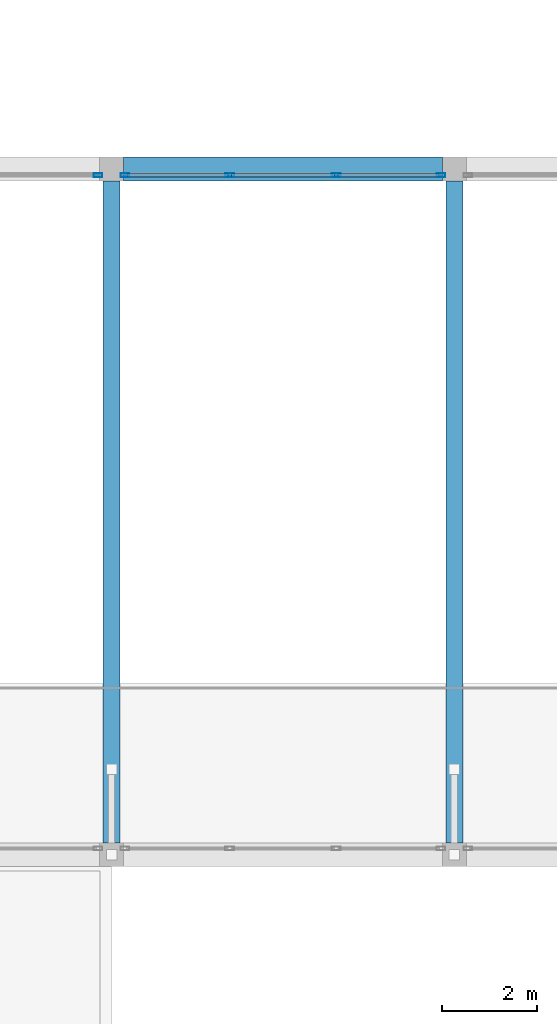
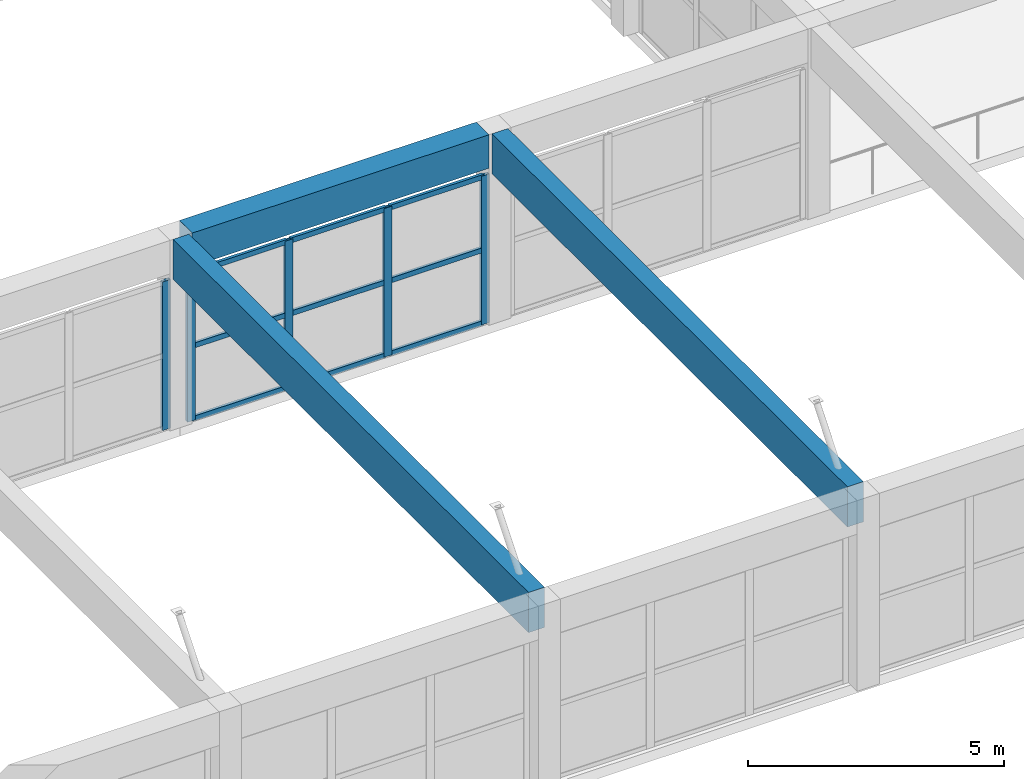
# One storey, part 34 of 153: 14 members, 3 beams, 2 elements without a shape of their own.
"""IFC4 building model written with IfcOpenShell, lengths in metres."""

from ifc_helpers import new_model, si_unit, direction, frame, origin, origin_2d, place, context, subcontext, project, spatial, rectangle, hollow_rectangle, extrude, material, material_profile, profile_set, type_object, element, aggregate, save


model = new_model("IFC4")

# Units and contexts
model_context = context("Model", 3, precision=1e-05, world=origin(), true_north=direction((0.0, 1.0)))
body_context = subcontext(model_context, "Body", "Model", "MODEL_VIEW")
ifc_project = project(units=[si_unit("LENGTHUNIT", "METRE"), si_unit("AREAUNIT", "SQUARE_METRE"), si_unit("VOLUMEUNIT", "CUBIC_METRE"), si_unit("PLANEANGLEUNIT", "RADIAN"), si_unit("MASSUNIT", "GRAM", prefix="KILO")], contexts=[model_context])

# Site, building, storey
site_placement = place(None, origin())
site = spatial("IfcSite", under=ifc_project, at=site_placement, CompositionType="ELEMENT")
building_placement = place(site_placement, origin())
building = spatial("IfcBuilding", under=site, at=building_placement, Name="Bramvelor Terrace Health Centre", CompositionType="ELEMENT")
storey_placement = place(building_placement, frame((0.0, 0.0, 4.800048828125)))
storey = spatial("IfcBuildingStorey", under=building, at=storey_placement, Name="L02", CompositionType="ELEMENT", Elevation=4.800048828125)

# Beams
ifc_material_1 = material(Name="Glulam GL28h", Category="wood")
ifc_material_profile_1 = material_profile(ifc_material_1, rectangle(XDim=0.360107421875, YDim=0.9599609375, at=origin_2d()), Name="GL 360x960")
ifc_profile_set_1 = profile_set([ifc_material_profile_1], Name="Glulam GL28h")
beam_type_1 = type_object("IfcBeamType", Name="BM-GL-TG960", PredefinedType="BEAM", material=ifc_profile_set_1)
for number, where, z_axis, x_axis, name in (
    (1, (64.800048828125, 36.25, 4.070068359375), (0.0, 1.0, 0.0), (-1.0, 0.0, 0.0), "L02 Floor Girder"),
    (2, (72.0, 36.25, 4.070068359375), (0.0, 1.0, 0.0), (-1.0, 0.0, 0.0), "L02 Floor Girder"),
):
    element("IfcBeam", number, at=place(storey_placement, frame(where, z_axis=z_axis, x_axis=x_axis)), inside=storey, type_object=beam_type_1, Name=name, PredefinedType="BEAM", context=body_context, shape_type="SweptSolid", body=[
        extrude(rectangle(XDim=0.360107421875, YDim=0.9599609375, at=origin_2d()), origin(), (0.0, 0.0, 1.0), 13.89990234375),
    ])
ifc_material_2 = material(Name="Concrete C40/50", Category="concrete")
ifc_material_profile_2 = material_profile(ifc_material_2, rectangle(XDim=0.5, YDim=0.800048828125, at=origin_2d()), Name="RC 500x800")
ifc_profile_set_2 = profile_set([ifc_material_profile_2], Name="Concrete C40/50")
beam_type_2 = type_object("IfcBeamType", Name="BM-RC-G800", PredefinedType="BEAM", material=ifc_profile_set_2)
beam_placement = place(storey_placement, frame((65.050048828125, 50.39990234375, 4.14990234375), z_axis=(1.0, 0.0, 0.0), x_axis=(0.0, 1.0, 0.0)))
element("IfcBeam", 3, at=beam_placement, inside=storey, type_object=beam_type_2, Name="L02 Floor Girder", PredefinedType="BEAM", context=body_context, shape_type="SweptSolid", body=[
    extrude(rectangle(XDim=0.5, YDim=0.800048828125, at=origin_2d()), origin(), (0.0, 0.0, 1.0), 6.699951171875),
])

# Curtain wall, member
ifc_material_3 = material(Name="Anodized aluminium and double low-E glass", Category="aluminium")
curtain_wall_type = type_object("IfcCurtainWallType", Name="CW-SYS-20", PredefinedType="NOTDEFINED", material=ifc_material_3)
curtain_wall_1_placement = place(storey_placement, origin())
curtain_wall_1 = element("IfcCurtainWall", 4, at=curtain_wall_1_placement, inside=storey, type_object=curtain_wall_type, Name="L02 Unitized Curtain Wall 135", PredefinedType="NOTDEFINED")
ifc_material_4 = material(Name="Anodized aluminium 6063-T6", Category="aluminium")
ifc_material_profile_3 = material_profile(ifc_material_4, hollow_rectangle(XDim=0.074951171875, YDim=0.179931640625, WallThickness=0.00341796875, at=origin_2d()), Name="ALU-MUL 75x180x3.5")
ifc_profile_set_3 = profile_set([ifc_material_profile_3], Name="Anodized aluminium 6063-T6")
member_type_1 = type_object("IfcMemberType", Name="CW-MUL-65x180", PredefinedType="MULLION", material=ifc_profile_set_3)
member_1_placement = place(storey_placement, frame((64.517578125, 50.27001953125, 0.0), z_axis=(0.0, 0.0, 1.0), x_axis=(0.0, 1.0, 0.0)))
member_1 = element("IfcMember", 5, at=member_1_placement, type_object=member_type_1, Name="CW-20 mullion 4", PredefinedType="MULLION", context=body_context, shape_type="SweptSolid", body=[
    extrude(hollow_rectangle(XDim=0.074951171875, YDim=0.179931640625, WallThickness=0.00341796875, at=origin_2d()), origin(), (0.0, 0.0, 1.0), 3.550048828125),
])
aggregate(curtain_wall_1, [member_1])

# Curtain wall, members
curtain_wall_2_placement = place(storey_placement, origin())
curtain_wall_2 = element("IfcCurtainWall", 6, at=curtain_wall_2_placement, inside=storey, type_object=curtain_wall_type, Name="L02 Unitized Curtain Wall 136", PredefinedType="NOTDEFINED")
member_2_placement = place(storey_placement, frame((65.08251953125, 50.27001953125, 0.0), z_axis=(0.0, 0.0, 1.0), x_axis=(0.0, 1.0, 0.0)))
member_2 = element("IfcMember", 7, at=member_2_placement, type_object=member_type_1, Name="CW-20 mullion 1", PredefinedType="MULLION", context=body_context, shape_type="SweptSolid", body=[
    extrude(hollow_rectangle(XDim=0.074951171875, YDim=0.179931640625, WallThickness=0.00341796875, at=origin_2d()), origin(), (0.0, 0.0, 1.0), 3.550048828125),
])
member_3_placement = place(storey_placement, frame((67.28173828125, 50.27001953125, 0.0), z_axis=(0.0, 0.0, 1.0), x_axis=(0.0, 1.0, 0.0)))
member_3 = element("IfcMember", 8, at=member_3_placement, type_object=member_type_1, Name="CW-20 mullion 2", PredefinedType="MULLION", context=body_context, shape_type="SweptSolid", body=[
    extrude(hollow_rectangle(XDim=0.074951171875, YDim=0.179931640625, WallThickness=0.00341796875, at=origin_2d()), origin(), (0.0, 0.0, 1.0), 3.550048828125),
])
member_4_placement = place(storey_placement, frame((69.518310546875, 50.27001953125, 0.0), z_axis=(0.0, 0.0, 1.0), x_axis=(0.0, 1.0, 0.0)))
member_4 = element("IfcMember", 9, at=member_4_placement, type_object=member_type_1, Name="CW-20 mullion 3", PredefinedType="MULLION", context=body_context, shape_type="SweptSolid", body=[
    extrude(hollow_rectangle(XDim=0.074951171875, YDim=0.179931640625, WallThickness=0.00341796875, at=origin_2d()), origin(), (0.0, 0.0, 1.0), 3.550048828125),
])
member_5_placement = place(storey_placement, frame((71.717529296875, 50.27001953125, 0.0), z_axis=(0.0, 0.0, 1.0), x_axis=(0.0, 1.0, 0.0)))
member_5 = element("IfcMember", 10, at=member_5_placement, type_object=member_type_1, Name="CW-20 mullion 4", PredefinedType="MULLION", context=body_context, shape_type="SweptSolid", body=[
    extrude(hollow_rectangle(XDim=0.074951171875, YDim=0.179931640625, WallThickness=0.00341796875, at=origin_2d()), origin(), (0.0, 0.0, 1.0), 3.550048828125),
])
ifc_material_5 = material(Name="Anodized aluminium 6063-T6", Category="aluminium")
ifc_material_profile_4 = material_profile(ifc_material_5, hollow_rectangle(XDim=0.06494140625, YDim=0.1201171875, WallThickness=0.0029296875, at=origin_2d()), Name="ALU-TRN 65x120x3.0")
ifc_profile_set_4 = profile_set([ifc_material_profile_4], Name="Anodized aluminium 6063-T6")
member_type_2 = type_object("IfcMemberType", Name="CW-TRN-65x150", PredefinedType="USERDEFINED", material=ifc_profile_set_4)
member_6_placement = place(storey_placement, frame((65.1201171875, 50.27001953125, 0.032470703125), z_axis=(1.0, 0.0, 0.0), x_axis=(0.0, 1.0, 0.0)))
member_6 = element("IfcMember", 11, at=member_6_placement, type_object=member_type_2, Name="CW-20 transom 1.1", ObjectType="TRANSOM", PredefinedType="USERDEFINED", context=body_context, shape_type="SweptSolid", body=[
    extrude(hollow_rectangle(XDim=0.06494140625, YDim=0.1201171875, WallThickness=0.0029296875, at=origin_2d()), origin(), (0.0, 0.0, 1.0), 2.1240234375),
])
member_7_placement = place(storey_placement, frame((65.1201171875, 50.27001953125, 1.77490234375), z_axis=(1.0, 0.0, 0.0), x_axis=(0.0, 1.0, 0.0)))
member_7 = element("IfcMember", 12, at=member_7_placement, type_object=member_type_2, Name="CW-20 transom 1.2", ObjectType="TRANSOM", PredefinedType="USERDEFINED", context=body_context, shape_type="SweptSolid", body=[
    extrude(hollow_rectangle(XDim=0.06494140625, YDim=0.1201171875, WallThickness=0.0029296875, at=origin_2d()), origin(), (0.0, 0.0, 1.0), 2.1240234375),
])
member_8_placement = place(storey_placement, frame((65.1201171875, 50.27001953125, 3.517333984375), z_axis=(1.0, 0.0, 0.0), x_axis=(0.0, 1.0, 0.0)))
member_8 = element("IfcMember", 13, at=member_8_placement, type_object=member_type_2, Name="CW-20 transom 1.3", ObjectType="TRANSOM", PredefinedType="USERDEFINED", context=body_context, shape_type="SweptSolid", body=[
    extrude(hollow_rectangle(XDim=0.06494140625, YDim=0.1201171875, WallThickness=0.0029296875, at=origin_2d()), origin(), (0.0, 0.0, 1.0), 2.1240234375),
])
member_9_placement = place(storey_placement, frame((67.319091796875, 50.27001953125, 0.032470703125), z_axis=(1.0, 0.0, 0.0), x_axis=(0.0, 1.0, 0.0)))
member_9 = element("IfcMember", 14, at=member_9_placement, type_object=member_type_2, Name="CW-20 transom 2.1", ObjectType="TRANSOM", PredefinedType="USERDEFINED", context=body_context, shape_type="SweptSolid", body=[
    extrude(hollow_rectangle(XDim=0.06494140625, YDim=0.1201171875, WallThickness=0.0029296875, at=origin_2d()), origin(), (0.0, 0.0, 1.0), 2.16162109375),
])
member_10_placement = place(storey_placement, frame((67.319091796875, 50.27001953125, 1.77490234375), z_axis=(1.0, 0.0, 0.0), x_axis=(0.0, 1.0, 0.0)))
member_10 = element("IfcMember", 15, at=member_10_placement, type_object=member_type_2, Name="CW-20 transom 2.2", ObjectType="TRANSOM", PredefinedType="USERDEFINED", context=body_context, shape_type="SweptSolid", body=[
    extrude(hollow_rectangle(XDim=0.06494140625, YDim=0.1201171875, WallThickness=0.0029296875, at=origin_2d()), origin(), (0.0, 0.0, 1.0), 2.16162109375),
])
member_11_placement = place(storey_placement, frame((67.319091796875, 50.27001953125, 3.517333984375), z_axis=(1.0, 0.0, 0.0), x_axis=(0.0, 1.0, 0.0)))
member_11 = element("IfcMember", 16, at=member_11_placement, type_object=member_type_2, Name="CW-20 transom 2.3", ObjectType="TRANSOM", PredefinedType="USERDEFINED", context=body_context, shape_type="SweptSolid", body=[
    extrude(hollow_rectangle(XDim=0.06494140625, YDim=0.1201171875, WallThickness=0.0029296875, at=origin_2d()), origin(), (0.0, 0.0, 1.0), 2.16162109375),
])
member_12_placement = place(storey_placement, frame((69.555908203125, 50.27001953125, 0.032470703125), z_axis=(1.0, 0.0, 0.0), x_axis=(0.0, 1.0, 0.0)))
member_12 = element("IfcMember", 17, at=member_12_placement, type_object=member_type_2, Name="CW-20 transom 3.1", ObjectType="TRANSOM", PredefinedType="USERDEFINED", context=body_context, shape_type="SweptSolid", body=[
    extrude(hollow_rectangle(XDim=0.06494140625, YDim=0.1201171875, WallThickness=0.0029296875, at=origin_2d()), origin(), (0.0, 0.0, 1.0), 2.1240234375),
])
member_13_placement = place(storey_placement, frame((69.555908203125, 50.27001953125, 1.77490234375), z_axis=(1.0, 0.0, 0.0), x_axis=(0.0, 1.0, 0.0)))
member_13 = element("IfcMember", 18, at=member_13_placement, type_object=member_type_2, Name="CW-20 transom 3.2", ObjectType="TRANSOM", PredefinedType="USERDEFINED", context=body_context, shape_type="SweptSolid", body=[
    extrude(hollow_rectangle(XDim=0.06494140625, YDim=0.1201171875, WallThickness=0.0029296875, at=origin_2d()), origin(), (0.0, 0.0, 1.0), 2.1240234375),
])
member_14_placement = place(storey_placement, frame((69.555908203125, 50.27001953125, 3.517333984375), z_axis=(1.0, 0.0, 0.0), x_axis=(0.0, 1.0, 0.0)))
member_14 = element("IfcMember", 19, at=member_14_placement, type_object=member_type_2, Name="CW-20 transom 3.3", ObjectType="TRANSOM", PredefinedType="USERDEFINED", context=body_context, shape_type="SweptSolid", body=[
    extrude(hollow_rectangle(XDim=0.06494140625, YDim=0.1201171875, WallThickness=0.0029296875, at=origin_2d()), origin(), (0.0, 0.0, 1.0), 2.1240234375),
])
aggregate(curtain_wall_2, [member_2, member_3, member_4, member_5, member_6, member_7, member_8, member_9, member_10, member_11, member_12, member_13, member_14])

save(model, "model.ifc")
